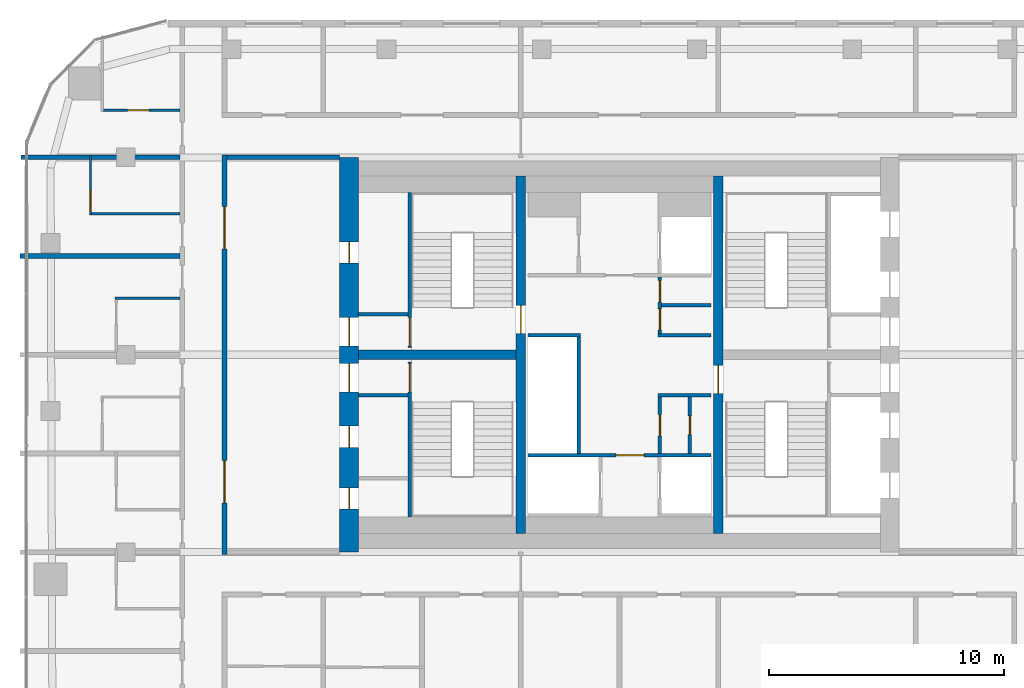
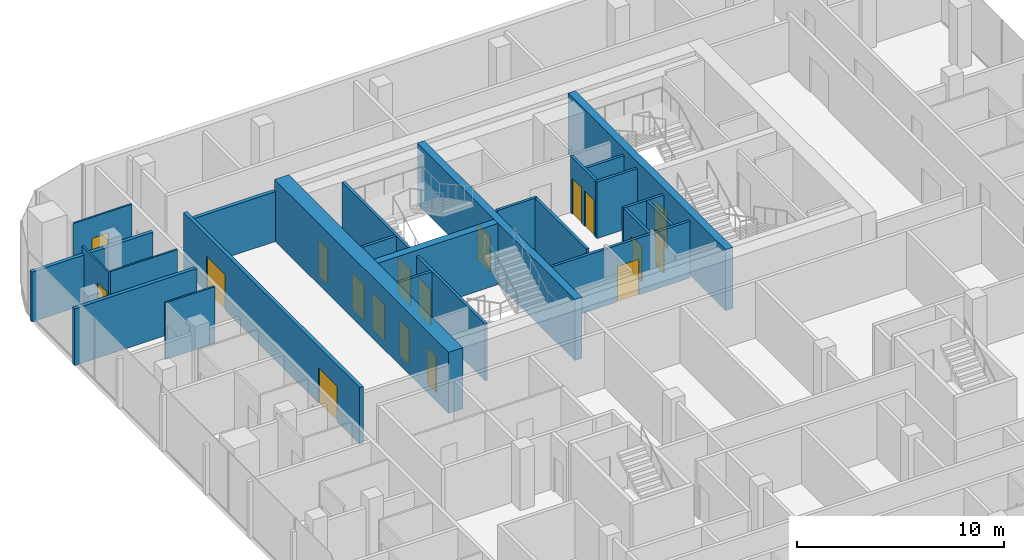
# One storey, part 18 of 22: 25 walls, 18 doors, 18 openings.
"""IFC4 building model written with IfcOpenShell, lengths in metres."""

from ifc_helpers import new_model, si_unit, direction, frame, frame_2d, origin, place, context, subcontext, project, spatial, rectangle, extrude, material, layer, layer_set, type_object, element, fill, save


model = new_model("IFC4")

# Units and contexts
model_context = context("Model", 3, precision=1e-05, world=origin(), true_north=direction((0.0, 1.0)))
body_context = subcontext(model_context, "Body", "Model", "MODEL_VIEW")
ifc_project = project(units=[si_unit("LENGTHUNIT", "METRE"), si_unit("AREAUNIT", "SQUARE_METRE"), si_unit("VOLUMEUNIT", "CUBIC_METRE"), si_unit("PLANEANGLEUNIT", "RADIAN"), si_unit("MASSUNIT", "GRAM", prefix="KILO")], contexts=[model_context])

# Site, building, storey
site_placement = place(None, origin())
site = spatial("IfcSite", under=ifc_project, at=site_placement, CompositionType="ELEMENT")
building_placement = place(site_placement, origin())
building = spatial("IfcBuilding", under=site, at=building_placement, Name="Marenta Gate Hotel Tower", CompositionType="ELEMENT")
storey_placement = place(building_placement, frame((0.0, 0.0, 194.89990234375)))
storey = spatial("IfcBuildingStorey", under=building, at=storey_placement, Name="L44", CompositionType="ELEMENT", Elevation=194.89990234375)

# Wall, openings, doors
ifc_material_1 = material(Name="Concrete blockwork", Category="masonry")
ifc_layer_1 = layer(ifc_material_1, 0.199951171875)
ifc_layer_set_1 = layer_set([ifc_layer_1], Name="Concrete blockwork")
wall_type_1 = type_object("IfcWallType", Name="Core boundary wall 200 REI 180", PredefinedType="PARTITIONING", material=ifc_layer_set_1)
wall_1_placement = place(storey_placement, frame((-16.800048828125, -0.10009765625, 0.0), z_axis=(0.0, 0.0, 1.0), x_axis=(0.0, 1.0, 0.0)))
wall_1 = element("IfcWall", 1, at=wall_1_placement, inside=storey, type_object=wall_type_1, Name="L44-CP-BW-W", PredefinedType="PARTITIONING", context=body_context, shape_type="SweptSolid", body=[
    extrude(rectangle(XDim=17.0, YDim=0.199951171875, at=frame_2d((8.5, 0.0))), origin(), (0.0, 0.0, 1.0), 3.340087890625),
])
opening_1_placement = place(wall_1_placement, frame((2.199951171875, 0.0, 0.0)))
opening_1 = element("IfcOpeningElement", 2, at=opening_1_placement, cuts=wall_1, Name="Opening ED-Wa-B", PredefinedType="OPENING", context=body_context, shape_type="SweptSolid", body=[
    extrude(rectangle(XDim=1.800048828125, YDim=2.10009765625, at=frame_2d((0.89990234375, 1.050048828125))), frame((0.0, 0.10009765625, 0.0), z_axis=(0.0, -1.0, 0.0), x_axis=(1.0, 0.0, 0.0)), (0.0, 0.0, 1.0), 0.199951171875),
])
opening_2_placement = place(wall_1_placement, frame((13.0, 0.0, 0.0)))
opening_2 = element("IfcOpeningElement", 3, at=opening_2_placement, cuts=wall_1, Name="Opening ED-Wb-B", PredefinedType="OPENING", context=body_context, shape_type="SweptSolid", body=[
    extrude(rectangle(XDim=1.800048828125, YDim=2.10009765625, at=frame_2d((0.89990234375, 1.050048828125))), frame((0.0, 0.10009765625, 0.0), z_axis=(0.0, -1.0, 0.0), x_axis=(1.0, 0.0, 0.0)), (0.0, 0.0, 1.0), 0.199951171875),
])
ifc_material_2 = material(Name="Steel", Category="steel")
door_type_1 = type_object("IfcDoorType", Name="Core lobby entrance door 1800x2100 EI 60", OperationType="DOUBLE_DOOR_SINGLE_SWING", PredefinedType="DOOR", material=ifc_material_2)
door_1_placement = place(opening_1_placement, origin())
door_1 = element("IfcDoor", 4, at=door_1_placement, inside=storey, type_object=door_type_1, Name="ED-Wa-B", OperationType="DOUBLE_DOOR_SINGLE_SWING", OverallHeight=2.10009765625, OverallWidth=1.800048828125, PredefinedType="DOOR", context=body_context, shape_type="SweptSolid", body=[
    extrude(rectangle(XDim=1.800048828125, YDim=2.10009765625, at=frame_2d((0.89990234375, 1.050048828125))), frame((0.0, 0.02490234375, 0.0), z_axis=(0.0, -1.0, 0.0), x_axis=(1.0, 0.0, 0.0)), (0.0, 0.0, 1.0), 0.050048828125),
])
fill(opening_1, door_1)
door_2_placement = place(opening_2_placement, origin())
door_2 = element("IfcDoor", 5, at=door_2_placement, inside=storey, type_object=door_type_1, Name="ED-Wb-B", OperationType="DOUBLE_DOOR_SINGLE_SWING", OverallHeight=2.10009765625, OverallWidth=1.800048828125, PredefinedType="DOOR", context=body_context, shape_type="SweptSolid", body=[
    extrude(rectangle(XDim=1.800048828125, YDim=2.10009765625, at=frame_2d((0.89990234375, 1.050048828125))), frame((0.0, 0.02490234375, 0.0), z_axis=(0.0, -1.0, 0.0), x_axis=(1.0, 0.0, 0.0)), (0.0, 0.0, 1.0), 0.050048828125),
])
fill(opening_2, door_2)

# Wall
wall_2_placement = place(storey_placement, frame((-16.699951171875, 16.800048828125, 0.0), z_axis=(0.0, 0.0, 1.0), x_axis=(1.0, 0.0, 0.0)))
element("IfcWall", 6, at=wall_2_placement, inside=storey, type_object=wall_type_1, Name="L44-CP-EW-WN", PredefinedType="PARTITIONING", context=body_context, shape_type="SweptSolid", body=[
    extrude(rectangle(XDim=4.800048828125, YDim=0.199951171875, at=frame_2d((2.39990234375, 0.0))), origin(), (0.0, 0.0, 1.0), 2.940185546875),
])

# Wall, opening, door
ifc_material_3 = material(Name="Concrete blockwork", Category="masonry")
ifc_layer_2 = layer(ifc_material_3, 0.14990234375)
ifc_layer_set_2 = layer_set([ifc_layer_2], Name="Concrete blockwork")
wall_type_2 = type_object("IfcWallType", Name="Core lobby partition 150 REI 180", PredefinedType="PARTITIONING", material=ifc_layer_set_2)
wall_3_placement = place(storey_placement, frame((-3.89990234375, 4.125, 0.0), z_axis=(0.0, 0.0, 1.0), x_axis=(1.0, 0.0, 0.0)))
wall_3 = element("IfcWall", 7, at=wall_3_placement, inside=storey, type_object=wall_type_2, Name="L44-CP-CW-S", PredefinedType="PARTITIONING", context=body_context, shape_type="SweptSolid", body=[
    extrude(rectangle(XDim=7.7998046875, YDim=0.14990234375, at=frame_2d((3.89990234375, 0.0))), origin(), (0.0, 0.0, 1.0), 3.340087890625),
])
opening_3_placement = place(wall_3_placement, frame((3.75, 0.0, 0.0)))
opening_3 = element("IfcOpeningElement", 8, at=opening_3_placement, cuts=wall_3, Name="Opening FD-FFS", PredefinedType="OPENING", context=body_context, shape_type="SweptSolid", body=[
    extrude(rectangle(XDim=1.199951171875, YDim=2.10009765625, at=frame_2d((0.60009765625, 1.050048828125))), frame((0.0, 0.074951171875, 0.0), z_axis=(0.0, -1.0, 0.0), x_axis=(1.0, 0.0, 0.0)), (0.0, 0.0, 1.0), 0.14990234375),
])
ifc_material_4 = material(Name="Steel", Category="steel")
door_type_2 = type_object("IfcDoorType", Name="Core lobby door 1200x2100 FD60", OperationType="SINGLE_SWING_LEFT", PredefinedType="DOOR", material=ifc_material_4)
door_3_placement = place(opening_3_placement, origin())
door_3 = element("IfcDoor", 9, at=door_3_placement, inside=storey, type_object=door_type_2, Name="FD-FFS", OperationType="SINGLE_SWING_LEFT", OverallHeight=2.10009765625, OverallWidth=1.199951171875, PredefinedType="DOOR", context=body_context, shape_type="SweptSolid", body=[
    extrude(rectangle(XDim=1.199951171875, YDim=2.10009765625, at=frame_2d((0.60009765625, 1.050048828125))), frame((0.0, 0.02490234375, 0.0), z_axis=(0.0, -1.0, 0.0), x_axis=(1.0, 0.0, 0.0)), (0.0, 0.0, 1.0), 0.050048828125),
])
fill(opening_3, door_3)

# Walls
ifc_material_5 = material(Name="Concrete blockwork", Category="masonry")
ifc_layer_3 = layer(ifc_material_5, 0.14990234375)
ifc_layer_set_3 = layer_set([ifc_layer_3], Name="Concrete blockwork")
wall_type_3 = type_object("IfcWallType", Name="Core room partition 150 REI 180", PredefinedType="PARTITIONING", material=ifc_layer_set_3)
for number, where, z_axis, x_axis, name in (
    (10, (-11.10009765625, 6.675048828125, 0.0), (0.0, 0.0, 1.0), (1.0, 0.0, 0.0), "L44-CP-SW-WS-2"),
    (11, (-11.10009765625, 10.125, 0.0), (0.0, 0.0, 1.0), (1.0, 0.0, 0.0), "L44-CP-SW-WN-2"),
):
    element("IfcWall", number, at=place(storey_placement, frame(where, z_axis=z_axis, x_axis=x_axis)), inside=storey, type_object=wall_type_3, Name=name, PredefinedType="PARTITIONING", context=body_context, shape_type="SweptSolid", body=[
        extrude(rectangle(XDim=2.10009765625, YDim=0.14990234375, at=frame_2d((1.050048828125, 0.0))), origin(), (0.0, 0.0, 1.0), 3.340087890625),
    ])
for number, where, z_axis, x_axis, name in (
    (12, (1.64990234375, 6.675048828125, 0.0), (0.0, 0.0, 1.0), (1.0, 0.0, 0.0), "L44-CP-CE-sep1"),
    (13, (1.64990234375, 9.22509765625, 0.0), (0.0, 0.0, 1.0), (1.0, 0.0, 0.0), "L44-CP-CE-sep2"),
):
    element("IfcWall", number, at=place(storey_placement, frame(where, z_axis=z_axis, x_axis=x_axis)), inside=storey, type_object=wall_type_3, Name=name, PredefinedType="PARTITIONING", context=body_context, shape_type="SweptSolid", body=[
        extrude(rectangle(XDim=2.25, YDim=0.14990234375, at=frame_2d((1.125, 0.0))), origin(), (0.0, 0.0, 1.0), 3.340087890625),
    ])

# Wall, opening, door
wall_4_placement = place(storey_placement, frame((1.72509765625, 4.199951171875, 0.0), z_axis=(0.0, 0.0, 1.0), x_axis=(0.0, 1.0, 0.0)))
wall_4 = element("IfcWall", 14, at=wall_4_placement, inside=storey, type_object=wall_type_3, Name="L44-CP-CE-front-1", PredefinedType="PARTITIONING", context=body_context, shape_type="SweptSolid", body=[
    extrude(rectangle(XDim=2.400146484375, YDim=0.14990234375, at=frame_2d((1.2001953125, 0.0))), origin(), (0.0, 0.0, 1.0), 3.340087890625),
])
opening_4_placement = place(wall_4_placement, frame((0.75, 0.0, 0.0)))
opening_4 = element("IfcOpeningElement", 15, at=opening_4_placement, cuts=wall_4, Name="Opening RD-CE-1a", PredefinedType="OPENING", context=body_context, shape_type="SweptSolid", body=[
    extrude(rectangle(XDim=0.89990234375, YDim=2.10009765625, at=frame_2d((0.449951171875, 1.050048828125))), frame((0.0, 0.074951171875, 0.0), z_axis=(0.0, -1.0, 0.0), x_axis=(1.0, 0.0, 0.0)), (0.0, 0.0, 1.0), 0.14990234375),
])
ifc_material_6 = material(Name="Steel", Category="steel")
door_type_3 = type_object("IfcDoorType", Name="Core service room door 900x2100 FD30S", OperationType="SINGLE_SWING_LEFT", PredefinedType="DOOR", material=ifc_material_6)
door_4_placement = place(opening_4_placement, origin())
door_4 = element("IfcDoor", 16, at=door_4_placement, inside=storey, type_object=door_type_3, Name="RD-CE-1a", OperationType="SINGLE_SWING_LEFT", OverallHeight=2.10009765625, OverallWidth=0.89990234375, PredefinedType="DOOR", context=body_context, shape_type="SweptSolid", body=[
    extrude(rectangle(XDim=0.89990234375, YDim=2.10009765625, at=frame_2d((0.449951171875, 1.050048828125))), frame((0.0, 0.02490234375, 0.0), z_axis=(0.0, -1.0, 0.0), x_axis=(1.0, 0.0, 0.0)), (0.0, 0.0, 1.0), 0.050048828125),
])
fill(opening_4, door_4)

# Wall, openings, doors
wall_5_placement = place(storey_placement, frame((1.72509765625, 9.300048828125, 0.0), z_axis=(0.0, 0.0, 1.0), x_axis=(0.0, 1.0, 0.0)))
wall_5 = element("IfcWall", 17, at=wall_5_placement, inside=storey, type_object=wall_type_3, Name="L44-CP-CE-front-2", PredefinedType="PARTITIONING", context=body_context, shape_type="SweptSolid", body=[
    extrude(rectangle(XDim=2.39990234375, YDim=0.14990234375, at=frame_2d((1.199951171875, 0.0))), origin(), (0.0, 0.0, 1.0), 3.340087890625),
])
opening_5_placement = place(wall_5_placement, frame((0.14990234375, 0.0, 0.0)))
opening_5 = element("IfcOpeningElement", 18, at=opening_5_placement, cuts=wall_5, Name="Opening RD-CE-2a", PredefinedType="OPENING", context=body_context, shape_type="SweptSolid", body=[
    extrude(rectangle(XDim=0.89990234375, YDim=2.10009765625, at=frame_2d((0.449951171875, 1.050048828125))), frame((0.0, 0.074951171875, 0.0), z_axis=(0.0, -1.0, 0.0), x_axis=(1.0, 0.0, 0.0)), (0.0, 0.0, 1.0), 0.14990234375),
])
opening_6_placement = place(wall_5_placement, frame((1.35009765625, 0.0, 0.0)))
opening_6 = element("IfcOpeningElement", 19, at=opening_6_placement, cuts=wall_5, Name="Opening RD-CE-2b-B", PredefinedType="OPENING", context=body_context, shape_type="SweptSolid", body=[
    extrude(rectangle(XDim=0.89990234375, YDim=2.10009765625, at=frame_2d((0.449951171875, 1.050048828125))), frame((0.0, 0.074951171875, 0.0), z_axis=(0.0, -1.0, 0.0), x_axis=(1.0, 0.0, 0.0)), (0.0, 0.0, 1.0), 0.14990234375),
])
door_5_placement = place(opening_5_placement, origin())
door_5 = element("IfcDoor", 20, at=door_5_placement, inside=storey, type_object=door_type_3, Name="RD-CE-2a", OperationType="SINGLE_SWING_LEFT", OverallHeight=2.10009765625, OverallWidth=0.89990234375, PredefinedType="DOOR", context=body_context, shape_type="SweptSolid", body=[
    extrude(rectangle(XDim=0.89990234375, YDim=2.10009765625, at=frame_2d((0.449951171875, 1.050048828125))), frame((0.0, 0.02490234375, 0.0), z_axis=(0.0, -1.0, 0.0), x_axis=(1.0, 0.0, 0.0)), (0.0, 0.0, 1.0), 0.050048828125),
])
fill(opening_5, door_5)
door_6_placement = place(opening_6_placement, origin())
door_6 = element("IfcDoor", 21, at=door_6_placement, inside=storey, type_object=door_type_3, Name="RD-CE-2b-B", OperationType="SINGLE_SWING_LEFT", OverallHeight=2.10009765625, OverallWidth=0.89990234375, PredefinedType="DOOR", context=body_context, shape_type="SweptSolid", body=[
    extrude(rectangle(XDim=0.89990234375, YDim=2.10009765625, at=frame_2d((0.449951171875, 1.050048828125))), frame((0.0, 0.02490234375, 0.0), z_axis=(0.0, -1.0, 0.0), x_axis=(1.0, 0.0, 0.0)), (0.0, 0.0, 1.0), 0.050048828125),
])
fill(opening_6, door_6)

# Wall, opening, door
wall_6_placement = place(storey_placement, frame((3.0, 4.199951171875, 0.0), z_axis=(0.0, 0.0, 1.0), x_axis=(0.0, 1.0, 0.0)))
wall_6 = element("IfcWall", 22, at=wall_6_placement, inside=storey, type_object=wall_type_3, Name="L44-CP-CE-RW-1", PredefinedType="PARTITIONING", context=body_context, shape_type="SweptSolid", body=[
    extrude(rectangle(XDim=2.400146484375, YDim=0.14990234375, at=frame_2d((1.2001953125, 0.0))), origin(), (0.0, 0.0, 1.0), 3.340087890625),
])
opening_7_placement = place(wall_6_placement, frame((0.800048828125, 0.0, 0.0)))
opening_7 = element("IfcOpeningElement", 23, at=opening_7_placement, cuts=wall_6, Name="Opening RD-CE-1b-A", PredefinedType="OPENING", context=body_context, shape_type="SweptSolid", body=[
    extrude(rectangle(XDim=0.800048828125, YDim=2.10009765625, at=frame_2d((0.39990234375, 1.050048828125))), frame((0.0, 0.074951171875, 0.0), z_axis=(0.0, -1.0, 0.0), x_axis=(1.0, 0.0, 0.0)), (0.0, 0.0, 1.0), 0.14990234375),
])
ifc_material_7 = material(Name="Steel", Category="steel")
door_type_4 = type_object("IfcDoorType", Name="Core riser door 800x2100 FD60", OperationType="SINGLE_SWING_LEFT", PredefinedType="DOOR", material=ifc_material_7)
door_7_placement = place(opening_7_placement, origin())
door_7 = element("IfcDoor", 24, at=door_7_placement, inside=storey, type_object=door_type_4, Name="RD-CE-1b-A", OperationType="SINGLE_SWING_LEFT", OverallHeight=2.10009765625, OverallWidth=0.800048828125, PredefinedType="DOOR", context=body_context, shape_type="SweptSolid", body=[
    extrude(rectangle(XDim=0.800048828125, YDim=2.10009765625, at=frame_2d((0.39990234375, 1.050048828125))), frame((0.0, 0.02490234375, 0.0), z_axis=(0.0, -1.0, 0.0), x_axis=(1.0, 0.0, 0.0)), (0.0, 0.0, 1.0), 0.050048828125),
])
fill(opening_7, door_7)

# Walls
wall_7_placement = place(storey_placement, frame((1.800048828125, 10.5, 0.0), z_axis=(0.0, 0.0, 1.0), x_axis=(1.0, 0.0, 0.0)))
element("IfcWall", 25, at=wall_7_placement, inside=storey, type_object=wall_type_3, Name="L44-CP-CE-RW-2", PredefinedType="PARTITIONING", context=body_context, shape_type="SweptSolid", body=[
    extrude(rectangle(XDim=2.099853515625, YDim=0.14990234375, at=frame_2d((1.0498046875, 0.0))), origin(), (0.0, 0.0, 1.0), 3.340087890625),
])
ifc_material_8 = material(Name="Concrete C40", Category="concrete")
ifc_layer_4 = layer(ifc_material_8, 0.14990234375)
ifc_layer_set_4 = layer_set([ifc_layer_4], Name="Concrete C40")
wall_type_4 = type_object("IfcWallType", Name="Core shaft wall 150 REI 180", PredefinedType="SHEAR", material=ifc_layer_set_4)
wall_8_placement = place(storey_placement, frame((-1.72509765625, 4.199951171875, 0.0), z_axis=(0.0, 0.0, 1.0), x_axis=(0.0, 1.0, 0.0)))
element("IfcWall", 26, at=wall_8_placement, inside=storey, type_object=wall_type_4, Name="L44-SHF-CW-W-front", PredefinedType="SHEAR", context=body_context, shape_type="SweptSolid", body=[
    extrude(rectangle(XDim=4.949951171875, YDim=0.14990234375, at=frame_2d((2.47509765625, 0.0))), origin(), (0.0, 0.0, 1.0), 3.60009765625),
])
wall_9_placement = place(storey_placement, frame((-3.89990234375, 9.22509765625, 0.0), z_axis=(0.0, 0.0, 1.0), x_axis=(1.0, 0.0, 0.0)))
element("IfcWall", 27, at=wall_9_placement, inside=storey, type_object=wall_type_4, Name="L44-SHF-CW-W-sep", PredefinedType="SHEAR", context=body_context, shape_type="SweptSolid", body=[
    extrude(rectangle(XDim=2.25, YDim=0.14990234375, at=frame_2d((1.125, 0.0))), origin(), (0.0, 0.0, 1.0), 3.60009765625),
])

# Wall, opening, door
ifc_material_9 = material(Name="Concrete C40", Category="concrete")
ifc_layer_5 = layer(ifc_material_9, 0.14990234375)
ifc_layer_set_5 = layer_set([ifc_layer_5], Name="Concrete C40")
wall_type_5 = type_object("IfcWallType", Name="Core stair enclosure wall 150 REI 180", PredefinedType="SHEAR", material=ifc_layer_set_5)
wall_10_placement = place(storey_placement, frame((-8.925048828125, 1.5, 0.0), z_axis=(0.0, 0.0, 1.0), x_axis=(0.0, 1.0, 0.0)))
wall_10 = element("IfcWall", 28, at=wall_10_placement, inside=storey, type_object=wall_type_5, Name="L44-SHF-SW-WS-3", PredefinedType="SHEAR", context=body_context, shape_type="SweptSolid", body=[
    extrude(rectangle(XDim=6.60009765625, YDim=0.14990234375, at=frame_2d((3.300048828125, 0.0))), origin(), (0.0, 0.0, 1.0), 3.340087890625),
])
opening_8_placement = place(wall_10_placement, frame((5.324951171875, 0.0, 0.0)))
opening_8 = element("IfcOpeningElement", 29, at=opening_8_placement, cuts=wall_10, Name="Opening SD-WS", PredefinedType="OPENING", context=body_context, shape_type="SweptSolid", body=[
    extrude(rectangle(XDim=1.199951171875, YDim=2.10009765625, at=frame_2d((0.60009765625, 1.050048828125))), frame((0.0, 0.074951171875, 0.0), z_axis=(0.0, -1.0, 0.0), x_axis=(1.0, 0.0, 0.0)), (0.0, 0.0, 1.0), 0.14990234375),
])
ifc_material_10 = material(Name="Steel", Category="steel")
door_type_5 = type_object("IfcDoorType", Name="Core stair door 1200x2100 FD60", OperationType="SINGLE_SWING_LEFT", PredefinedType="DOOR", material=ifc_material_10)
door_8_placement = place(opening_8_placement, origin())
door_8 = element("IfcDoor", 30, at=door_8_placement, inside=storey, type_object=door_type_5, Name="SD-WS", OperationType="SINGLE_SWING_LEFT", OverallHeight=2.10009765625, OverallWidth=1.199951171875, PredefinedType="DOOR", context=body_context, shape_type="SweptSolid", body=[
    extrude(rectangle(XDim=1.199951171875, YDim=2.10009765625, at=frame_2d((0.60009765625, 1.050048828125))), frame((0.0, 0.02490234375, 0.0), z_axis=(0.0, -1.0, 0.0), x_axis=(1.0, 0.0, 0.0)), (0.0, 0.0, 1.0), 0.050048828125),
])
fill(opening_8, door_8)

wall_11_placement = place(storey_placement, frame((-8.925048828125, 8.699951171875, 0.0), z_axis=(0.0, 0.0, 1.0), x_axis=(0.0, 1.0, 0.0)))
wall_11 = element("IfcWall", 31, at=wall_11_placement, inside=storey, type_object=wall_type_5, Name="L44-SHF-SW-WN-3", PredefinedType="SHEAR", context=body_context, shape_type="SweptSolid", body=[
    extrude(rectangle(XDim=6.60009765625, YDim=0.14990234375, at=frame_2d((3.300048828125, 0.0))), origin(), (0.0, 0.0, 1.0), 3.340087890625),
])
opening_9_placement = place(wall_11_placement, frame((0.074951171875, 0.0, 0.0)))
opening_9 = element("IfcOpeningElement", 32, at=opening_9_placement, cuts=wall_11, Name="Opening SD-WN", PredefinedType="OPENING", context=body_context, shape_type="SweptSolid", body=[
    extrude(rectangle(XDim=1.199951171875, YDim=2.10009765625, at=frame_2d((0.60009765625, 1.050048828125))), frame((0.0, 0.074951171875, 0.0), z_axis=(0.0, -1.0, 0.0), x_axis=(1.0, 0.0, 0.0)), (0.0, 0.0, 1.0), 0.14990234375),
])
door_9_placement = place(opening_9_placement, origin())
door_9 = element("IfcDoor", 33, at=door_9_placement, inside=storey, type_object=door_type_5, Name="SD-WN", OperationType="SINGLE_SWING_LEFT", OverallHeight=2.10009765625, OverallWidth=1.199951171875, PredefinedType="DOOR", context=body_context, shape_type="SweptSolid", body=[
    extrude(rectangle(XDim=1.199951171875, YDim=2.10009765625, at=frame_2d((0.60009765625, 1.050048828125))), frame((0.0, 0.02490234375, 0.0), z_axis=(0.0, -1.0, 0.0), x_axis=(1.0, 0.0, 0.0)), (0.0, 0.0, 1.0), 0.050048828125),
])
fill(opening_9, door_9)

# Wall, openings, doors
ifc_material_11 = material(Name="Concrete C60", Category="concrete")
ifc_layer_6 = layer(ifc_material_11, 0.800048828125)
ifc_layer_set_6 = layer_set([ifc_layer_6], Name="Concrete C60")
wall_type_6 = type_object("IfcWallType", Name="Core wall 800 C60", PredefinedType="SHEAR", material=ifc_layer_set_6)
wall_12_placement = place(storey_placement, frame((-11.5, 0.0, 0.0), z_axis=(0.0, 0.0, 1.0), x_axis=(0.0, 1.0, 0.0)))
wall_12 = element("IfcWall", 34, at=wall_12_placement, inside=storey, type_object=wall_type_6, Name="L44-CORE-W", PredefinedType="SHEAR", context=body_context, shape_type="SweptSolid", body=[
    extrude(rectangle(XDim=16.800048828125, YDim=0.800048828125, at=frame_2d((8.39990234375, 0.0))), origin(), (0.0, 0.0, 1.0), 3.60009765625),
])
opening_10_placement = place(wall_12_placement, frame((1.83740234375, 0.0, 0.0)))
opening_10 = element("IfcOpeningElement", 35, at=opening_10_placement, cuts=wall_12, Name="Opening RD-WS-1", PredefinedType="OPENING", context=body_context, shape_type="SweptSolid", body=[
    extrude(rectangle(XDim=0.89990234375, YDim=2.10009765625, at=frame_2d((0.449951171875, 1.050048828125))), frame((0.0, 0.39990234375, 0.0), z_axis=(0.0, -1.0, 0.0), x_axis=(1.0, 0.0, 0.0)), (0.0, 0.0, 1.0), 0.800048828125),
])
opening_11_placement = place(wall_12_placement, frame((4.46240234375, 0.0, 0.0)))
opening_11 = element("IfcOpeningElement", 36, at=opening_11_placement, cuts=wall_12, Name="Opening RD-WS-2", PredefinedType="OPENING", context=body_context, shape_type="SweptSolid", body=[
    extrude(rectangle(XDim=0.89990234375, YDim=2.10009765625, at=frame_2d((0.449951171875, 1.050048828125))), frame((0.0, 0.39990234375, 0.0), z_axis=(0.0, -1.0, 0.0), x_axis=(1.0, 0.0, 0.0)), (0.0, 0.0, 1.0), 0.800048828125),
])
opening_12_placement = place(wall_12_placement, frame((6.824951171875, 0.0, 0.0)))
opening_12 = element("IfcOpeningElement", 37, at=opening_12_placement, cuts=wall_12, Name="Opening PD-WS", PredefinedType="OPENING", context=body_context, shape_type="SweptSolid", body=[
    extrude(rectangle(XDim=1.199951171875, YDim=2.10009765625, at=frame_2d((0.60009765625, 1.050048828125))), frame((0.0, 0.39990234375, 0.0), z_axis=(0.0, -1.0, 0.0), x_axis=(1.0, 0.0, 0.0)), (0.0, 0.0, 1.0), 0.800048828125),
])
opening_13_placement = place(wall_12_placement, frame((12.300048828125, 0.0, 0.0)))
opening_13 = element("IfcOpeningElement", 38, at=opening_13_placement, cuts=wall_12, Name="Opening RD-WN-1", PredefinedType="OPENING", context=body_context, shape_type="SweptSolid", body=[
    extrude(rectangle(XDim=0.89990234375, YDim=2.10009765625, at=frame_2d((0.449951171875, 1.050048828125))), frame((0.0, 0.39990234375, 0.0), z_axis=(0.0, -1.0, 0.0), x_axis=(1.0, 0.0, 0.0)), (0.0, 0.0, 1.0), 0.800048828125),
])
opening_14_placement = place(wall_12_placement, frame((8.77490234375, 0.0, 0.0)))
opening_14 = element("IfcOpeningElement", 39, at=opening_14_placement, cuts=wall_12, Name="Opening PD-WN", PredefinedType="OPENING", context=body_context, shape_type="SweptSolid", body=[
    extrude(rectangle(XDim=1.199951171875, YDim=2.10009765625, at=frame_2d((0.60009765625, 1.050048828125))), frame((0.0, 0.39990234375, 0.0), z_axis=(0.0, -1.0, 0.0), x_axis=(1.0, 0.0, 0.0)), (0.0, 0.0, 1.0), 0.800048828125),
])
door_10_placement = place(opening_12_placement, origin())
door_10 = element("IfcDoor", 40, at=door_10_placement, inside=storey, type_object=door_type_2, Name="PD-WS", OperationType="SINGLE_SWING_LEFT", OverallHeight=2.10009765625, OverallWidth=1.199951171875, PredefinedType="DOOR", context=body_context, shape_type="SweptSolid", body=[
    extrude(rectangle(XDim=1.199951171875, YDim=2.10009765625, at=frame_2d((0.60009765625, 1.050048828125))), frame((0.0, 0.02490234375, 0.0), z_axis=(0.0, -1.0, 0.0), x_axis=(1.0, 0.0, 0.0)), (0.0, 0.0, 1.0), 0.050048828125),
])
fill(opening_12, door_10)
door_11_placement = place(opening_14_placement, origin())
door_11 = element("IfcDoor", 41, at=door_11_placement, inside=storey, type_object=door_type_2, Name="PD-WN", OperationType="SINGLE_SWING_LEFT", OverallHeight=2.10009765625, OverallWidth=1.199951171875, PredefinedType="DOOR", context=body_context, shape_type="SweptSolid", body=[
    extrude(rectangle(XDim=1.199951171875, YDim=2.10009765625, at=frame_2d((0.60009765625, 1.050048828125))), frame((0.0, 0.02490234375, 0.0), z_axis=(0.0, -1.0, 0.0), x_axis=(1.0, 0.0, 0.0)), (0.0, 0.0, 1.0), 0.050048828125),
])
fill(opening_14, door_11)
door_12_placement = place(opening_10_placement, origin())
door_12 = element("IfcDoor", 42, at=door_12_placement, inside=storey, type_object=door_type_3, Name="RD-WS-1", OperationType="SINGLE_SWING_LEFT", OverallHeight=2.10009765625, OverallWidth=0.89990234375, PredefinedType="DOOR", context=body_context, shape_type="SweptSolid", body=[
    extrude(rectangle(XDim=0.89990234375, YDim=2.10009765625, at=frame_2d((0.449951171875, 1.050048828125))), frame((0.0, 0.02490234375, 0.0), z_axis=(0.0, -1.0, 0.0), x_axis=(1.0, 0.0, 0.0)), (0.0, 0.0, 1.0), 0.050048828125),
])
fill(opening_10, door_12)
door_13_placement = place(opening_11_placement, origin())
door_13 = element("IfcDoor", 43, at=door_13_placement, inside=storey, type_object=door_type_3, Name="RD-WS-2", OperationType="SINGLE_SWING_LEFT", OverallHeight=2.10009765625, OverallWidth=0.89990234375, PredefinedType="DOOR", context=body_context, shape_type="SweptSolid", body=[
    extrude(rectangle(XDim=0.89990234375, YDim=2.10009765625, at=frame_2d((0.449951171875, 1.050048828125))), frame((0.0, 0.02490234375, 0.0), z_axis=(0.0, -1.0, 0.0), x_axis=(1.0, 0.0, 0.0)), (0.0, 0.0, 1.0), 0.050048828125),
])
fill(opening_11, door_13)
door_14_placement = place(opening_13_placement, origin())
door_14 = element("IfcDoor", 44, at=door_14_placement, inside=storey, type_object=door_type_3, Name="RD-WN-1", OperationType="SINGLE_SWING_LEFT", OverallHeight=2.10009765625, OverallWidth=0.89990234375, PredefinedType="DOOR", context=body_context, shape_type="SweptSolid", body=[
    extrude(rectangle(XDim=0.89990234375, YDim=2.10009765625, at=frame_2d((0.449951171875, 1.050048828125))), frame((0.0, 0.02490234375, 0.0), z_axis=(0.0, -1.0, 0.0), x_axis=(1.0, 0.0, 0.0)), (0.0, 0.0, 1.0), 0.050048828125),
])
fill(opening_13, door_14)

# Wall, opening, door
ifc_material_12 = material(Name="Concrete C60", Category="concrete")
ifc_layer_7 = layer(ifc_material_12, 0.39990234375)
ifc_layer_set_7 = layer_set([ifc_layer_7], Name="Concrete C60")
wall_type_7 = type_object("IfcWallType", Name="Core web 400 C60", PredefinedType="SHEAR", material=ifc_layer_set_7)
wall_13_placement = place(storey_placement, frame((-4.199951171875, 0.800048828125, 0.0), z_axis=(0.0, 0.0, 1.0), x_axis=(0.0, 1.0, 0.0)))
wall_13 = element("IfcWall", 45, at=wall_13_placement, inside=storey, type_object=wall_type_7, Name="L44-CORE-W1", PredefinedType="SHEAR", context=body_context, shape_type="SweptSolid", body=[
    extrude(rectangle(XDim=15.199951171875, YDim=0.39990234375, at=frame_2d((7.60009765625, 0.0))), origin(), (0.0, 0.0, 1.0), 3.60009765625),
])
opening_15_placement = place(wall_13_placement, frame((8.5, 0.0, 0.0)))
opening_15 = element("IfcOpeningElement", 46, at=opening_15_placement, cuts=wall_13, Name="Opening WD-W", PredefinedType="OPENING", context=body_context, shape_type="SweptSolid", body=[
    extrude(rectangle(XDim=1.199951171875, YDim=2.10009765625, at=frame_2d((0.60009765625, 1.050048828125))), frame((0.0, 0.199951171875, 0.0), z_axis=(0.0, -1.0, 0.0), x_axis=(1.0, 0.0, 0.0)), (0.0, 0.0, 1.0), 0.39990234375),
])
door_15_placement = place(opening_15_placement, origin())
door_15 = element("IfcDoor", 47, at=door_15_placement, inside=storey, type_object=door_type_5, Name="WD-W", OperationType="SINGLE_SWING_LEFT", OverallHeight=2.10009765625, OverallWidth=1.199951171875, PredefinedType="DOOR", context=body_context, shape_type="SweptSolid", body=[
    extrude(rectangle(XDim=1.199951171875, YDim=2.10009765625, at=frame_2d((0.60009765625, 1.050048828125))), frame((0.0, 0.02490234375, 0.0), z_axis=(0.0, -1.0, 0.0), x_axis=(1.0, 0.0, 0.0)), (0.0, 0.0, 1.0), 0.050048828125),
])
fill(opening_15, door_15)

wall_14_placement = place(storey_placement, frame((4.199951171875, 0.800048828125, 0.0), z_axis=(0.0, 0.0, 1.0), x_axis=(0.0, 1.0, 0.0)))
wall_14 = element("IfcWall", 48, at=wall_14_placement, inside=storey, type_object=wall_type_7, Name="L44-CORE-W2", PredefinedType="SHEAR", context=body_context, shape_type="SweptSolid", body=[
    extrude(rectangle(XDim=15.199951171875, YDim=0.39990234375, at=frame_2d((7.60009765625, 0.0))), origin(), (0.0, 0.0, 1.0), 3.60009765625),
])
opening_16_placement = place(wall_14_placement, frame((5.949951171875, 0.0, 0.0)))
opening_16 = element("IfcOpeningElement", 49, at=opening_16_placement, cuts=wall_14, Name="Opening WD-E", PredefinedType="OPENING", context=body_context, shape_type="SweptSolid", body=[
    extrude(rectangle(XDim=1.199951171875, YDim=2.10009765625, at=frame_2d((0.60009765625, 1.050048828125))), frame((0.0, 0.199951171875, 0.0), z_axis=(0.0, -1.0, 0.0), x_axis=(1.0, 0.0, 0.0)), (0.0, 0.0, 1.0), 0.39990234375),
])
door_16_placement = place(opening_16_placement, origin())
door_16 = element("IfcDoor", 50, at=door_16_placement, inside=storey, type_object=door_type_5, Name="WD-E", OperationType="SINGLE_SWING_LEFT", OverallHeight=2.10009765625, OverallWidth=1.199951171875, PredefinedType="DOOR", context=body_context, shape_type="SweptSolid", body=[
    extrude(rectangle(XDim=1.199951171875, YDim=2.10009765625, at=frame_2d((0.60009765625, 1.050048828125))), frame((0.0, 0.02490234375, 0.0), z_axis=(0.0, -1.0, 0.0), x_axis=(1.0, 0.0, 0.0)), (0.0, 0.0, 1.0), 0.050048828125),
])
fill(opening_16, door_16)

# Walls
wall_15_placement = place(storey_placement, frame((-11.10009765625, 8.39990234375, 0.0), z_axis=(0.0, 0.0, 1.0), x_axis=(1.0, 0.0, 0.0)))
element("IfcWall", 51, at=wall_15_placement, inside=storey, type_object=wall_type_7, Name="L44-CORE-W3", PredefinedType="SHEAR", context=body_context, shape_type="SweptSolid", body=[
    extrude(rectangle(XDim=6.7001953125, YDim=0.39990234375, at=frame_2d((3.35009765625, 0.0))), origin(), (0.0, 0.0, 1.0), 3.60009765625),
])
ifc_material_13 = material(Name="Gypsum board on steel stud", Category="steel")
ifc_layer_8 = layer(ifc_material_13, 0.10009765625)
ifc_layer_set_8 = layer_set([ifc_layer_8], Name="Gypsum board on steel stud")
wall_type_8 = type_object("IfcWallType", Name="Room partition 100", PredefinedType="PARTITIONING", material=ifc_layer_set_8)
wall_16_placement = place(storey_placement, frame((-21.449951171875, 10.800048828125, 0.0), z_axis=(0.0, 0.0, 1.0), x_axis=(1.0, 0.0, 0.0)))
element("IfcWall", 52, at=wall_16_placement, inside=storey, type_object=wall_type_8, Name="L44-PTN-W097", PredefinedType="PARTITIONING", context=body_context, shape_type="SweptSolid", body=[
    extrude(rectangle(XDim=2.75, YDim=0.10009765625, at=frame_2d((1.375, 0.0))), origin(), (0.0, 0.0, 1.0), 3.340087890625),
])
wall_17_placement = place(storey_placement, frame((-22.449951171875, 14.39990234375, 0.0), z_axis=(0.0, 0.0, 1.0), x_axis=(1.0, 0.0, 0.0)))
element("IfcWall", 53, at=wall_17_placement, inside=storey, type_object=wall_type_8, Name="L44-PTN-W104", PredefinedType="PARTITIONING", context=body_context, shape_type="SweptSolid", body=[
    extrude(rectangle(XDim=3.75, YDim=0.10009765625, at=frame_2d((1.875, 0.0))), origin(), (0.0, 0.0, 1.0), 3.340087890625),
])

# Wall, opening, door
wall_18_placement = place(storey_placement, frame((-21.949951171875, 18.800048828125, 0.0), z_axis=(0.0, 0.0, 1.0), x_axis=(1.0, 0.0, 0.0)))
wall_18 = element("IfcWall", 54, at=wall_18_placement, inside=storey, type_object=wall_type_8, Name="L44-PTN-W114", PredefinedType="PARTITIONING", context=body_context, shape_type="SweptSolid", body=[
    extrude(rectangle(XDim=3.25, YDim=0.10009765625, at=frame_2d((1.625, 0.0))), origin(), (0.0, 0.0, 1.0), 3.340087890625),
])
opening_17_placement = place(wall_18_placement, frame((1.030029296875, 0.0, 0.0)))
opening_17 = element("IfcOpeningElement", 55, at=opening_17_placement, cuts=wall_18, Name="Opening G15-75", PredefinedType="OPENING", context=body_context, shape_type="SweptSolid", body=[
    extrude(rectangle(XDim=0.89990234375, YDim=2.10009765625, at=frame_2d((0.449951171875, 1.050048828125))), frame((0.0, 0.050048828125, 0.0), z_axis=(0.0, -1.0, 0.0), x_axis=(1.0, 0.0, 0.0)), (0.0, 0.0, 1.0), 0.10009765625),
])
ifc_material_14 = material(Name="Timber door leaf", Category="wood")
door_type_6 = type_object("IfcDoorType", Name="Guest bathroom door 900x2100", OperationType="NOTDEFINED", PredefinedType="DOOR", material=ifc_material_14)
door_17_placement = place(opening_17_placement, origin())
door_17 = element("IfcDoor", 56, at=door_17_placement, inside=storey, type_object=door_type_6, Name="L44-PD-D075", OperationType="SINGLE_SWING_LEFT", OverallHeight=2.10009765625, OverallWidth=0.89990234375, PredefinedType="DOOR", context=body_context, shape_type="SweptSolid", body=[
    extrude(rectangle(XDim=0.89990234375, YDim=2.10009765625, at=frame_2d((0.449951171875, 1.050048828125))), frame((0.0, 0.02490234375, 0.0), z_axis=(0.0, -1.0, 0.0), x_axis=(1.0, 0.0, 0.0)), (0.0, 0.0, 1.0), 0.050048828125),
])
fill(opening_17, door_17)

wall_19_placement = place(storey_placement, frame((-22.5, 14.35009765625, 0.0), z_axis=(0.0, 0.0, 1.0), x_axis=(0.0, 1.0, 0.0)))
wall_19 = element("IfcWall", 57, at=wall_19_placement, inside=storey, type_object=wall_type_8, Name="L44-PTN-W126", PredefinedType="PARTITIONING", context=body_context, shape_type="SweptSolid", body=[
    extrude(rectangle(XDim=2.5498046875, YDim=0.10009765625, at=frame_2d((1.27490234375, 0.0))), origin(), (0.0, 0.0, 1.0), 3.340087890625),
])
opening_18_placement = place(wall_19_placement, frame((0.14990234375, 0.0, 0.0)))
opening_18 = element("IfcOpeningElement", 58, at=opening_18_placement, cuts=wall_19, Name="Opening G15-73", PredefinedType="OPENING", context=body_context, shape_type="SweptSolid", body=[
    extrude(rectangle(XDim=0.89990234375, YDim=2.10009765625, at=frame_2d((0.449951171875, 1.050048828125))), frame((0.0, 0.050048828125, 0.0), z_axis=(0.0, -1.0, 0.0), x_axis=(1.0, 0.0, 0.0)), (0.0, 0.0, 1.0), 0.10009765625),
])
door_18_placement = place(opening_18_placement, origin())
door_18 = element("IfcDoor", 59, at=door_18_placement, inside=storey, type_object=door_type_6, Name="L44-PD-D073", OperationType="SINGLE_SWING_RIGHT", OverallHeight=2.10009765625, OverallWidth=0.89990234375, PredefinedType="DOOR", context=body_context, shape_type="SweptSolid", body=[
    extrude(rectangle(XDim=0.89990234375, YDim=2.10009765625, at=frame_2d((0.449951171875, 1.050048828125))), frame((0.0, 0.02490234375, 0.0), z_axis=(0.0, -1.0, 0.0), x_axis=(1.0, 0.0, 0.0)), (0.0, 0.0, 1.0), 0.050048828125),
])
fill(opening_18, door_18)

# Walls
ifc_material_15 = material(Name="Gypsum board on steel stud", Category="steel")
ifc_layer_9 = layer(ifc_material_15, 0.199951171875)
ifc_layer_set_9 = layer_set([ifc_layer_9], Name="Gypsum board on steel stud")
wall_type_9 = type_object("IfcWallType", Name="Room party wall 200 EI 60", PredefinedType="PARTITIONING", material=ifc_layer_set_9)
wall_20_placement = place(storey_placement, frame((-25.5, 12.60009765625, 0.0), z_axis=(0.0, 0.0, 1.0), x_axis=(1.0, 0.0, 0.0)))
element("IfcWall", 60, at=wall_20_placement, inside=storey, type_object=wall_type_9, Name="L44-PTN-W103", PredefinedType="PARTITIONING", context=body_context, shape_type="SweptSolid", body=[
    extrude(rectangle(XDim=6.800048828125, YDim=0.199951171875, at=frame_2d((3.39990234375, 0.0))), origin(), (0.0, 0.0, 1.0), 3.340087890625),
])
wall_21_placement = place(storey_placement, frame((-25.447021484375, 16.800048828125, 0.0), z_axis=(0.0, 0.0, 1.0), x_axis=(1.0, 0.0, 0.0)))
element("IfcWall", 61, at=wall_21_placement, inside=storey, type_object=wall_type_9, Name="L44-PTN-W110", PredefinedType="PARTITIONING", context=body_context, shape_type="SweptSolid", body=[
    extrude(rectangle(XDim=6.7470703125, YDim=0.199951171875, at=frame_2d((3.37353515625, 0.0))), origin(), (0.0, 0.0, 1.0), 2.940185546875),
])

save(model, "model.ifc")
